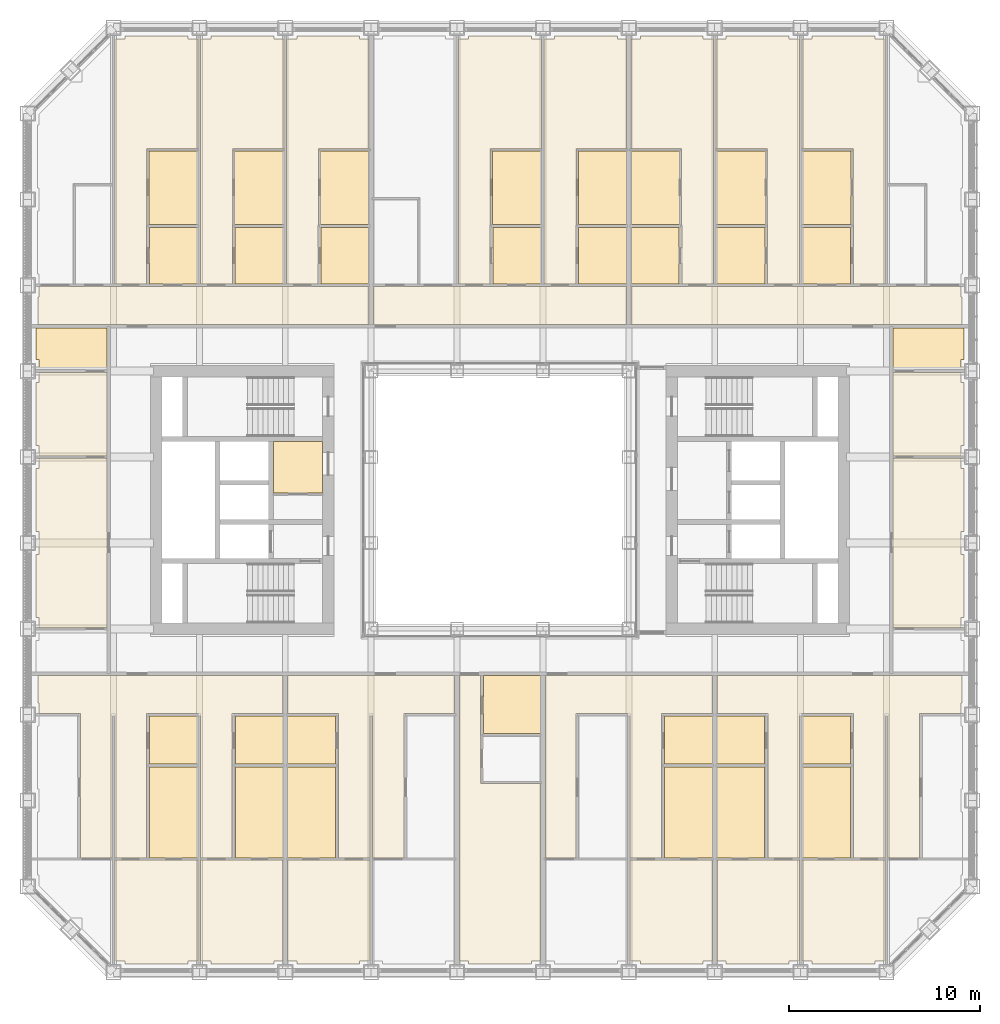
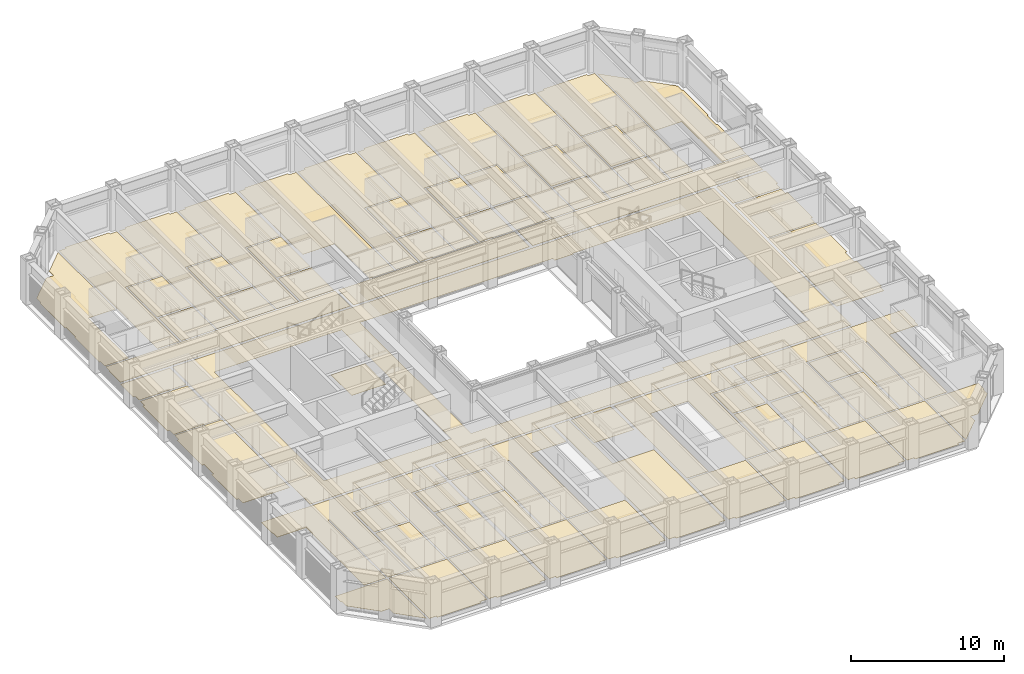
# One storey, part 19 of 21: 3 coverings.
"""IFC4 building model written with IfcOpenShell, lengths in metres."""

from ifc_helpers import new_model, si_unit, direction, frame, origin, place, context, subcontext, project, spatial, line, indexed_curve, outline, extrude, material, layer, layer_set, type_object, element, save


model = new_model("IFC4")

# Units and contexts
model_context = context("Model", 3, precision=1e-05, world=origin(), true_north=direction((0.0, 1.0)))
body_context = subcontext(model_context, "Body", "Model", "MODEL_VIEW")
ifc_project = project(units=[si_unit("LENGTHUNIT", "METRE"), si_unit("AREAUNIT", "SQUARE_METRE"), si_unit("VOLUMEUNIT", "CUBIC_METRE"), si_unit("PLANEANGLEUNIT", "RADIAN"), si_unit("MASSUNIT", "GRAM", prefix="KILO")], contexts=[model_context])

# Site, building, storey
site_placement = place(None, origin())
site = spatial("IfcSite", under=ifc_project, at=site_placement, CompositionType="ELEMENT")
building_placement = place(site_placement, origin())
building = spatial("IfcBuilding", under=site, at=building_placement, Name="Msasa Ring Tower", CompositionType="ELEMENT")
storey_placement = place(building_placement, frame((0.0, 0.0, 75.5)))
storey = spatial("IfcBuildingStorey", under=building, at=storey_placement, Name="L19", CompositionType="ELEMENT", Elevation=75.5)

# Coverings
ifc_material_1 = material(Name="Wool-blend carpet on felt underlay", Category="textile")
ifc_layer_1 = layer(ifc_material_1, 0.011962890625)
ifc_layer_set_1 = layer_set([ifc_layer_1], Name="F2 CARPET ON UNDERLAY 12")
covering_type_1 = type_object("IfcCoveringType", Name="F2 CARPET ON UNDERLAY 12", PredefinedType="FLOORING", material=ifc_layer_set_1)
covering_1_placement = place(storey_placement, origin())
element("IfcCovering", 1, at=covering_1_placement, inside=storey, type_object=covering_type_1, Name="Carpet On Underlay 12 L19", PredefinedType="FLOORING", context=body_context, shape_type="SweptSolid", body=[
    extrude(outline(indexed_curve([(-20.318115234375, -24.044921875), (-21.8994140625, -22.46337890625), (-21.8994140625, -21.8994140625), (-22.46337890625, -21.8994140625), (-24.1494140625, -20.21337890625), (-24.1494140625, -19.6494140625), (-24.23193359375, -19.6494140625), (-24.23193359375, -18.87548828125), (-20.318115234375, -18.87548828125)], segments=[line(1, 2, 3, 4, 5, 6, 7, 8, 9, 1)], self_intersect=False)), origin(), (0.0, 0.0, 1.0), 0.011962890625),
    extrude(outline(indexed_curve([(-22.46337890625, 21.8994140625), (-21.8994140625, 21.8994140625), (-21.8994140625, 22.46337890625), (-20.318115234375, 24.044921875), (-20.318115234375, 16.56298828125), (-22.3505859375, 16.56298828125), (-22.3505859375, 11.31298828125), (-24.1494140625, 11.31298828125), (-24.1494140625, 11.8505859375), (-24.23193359375, 11.8505859375), (-24.23193359375, 15.1494140625), (-24.1494140625, 15.1494140625), (-24.1494140625, 16.3505859375), (-24.23193359375, 16.3505859375), (-24.23193359375, 19.6494140625), (-24.1494140625, 19.6494140625), (-24.1494140625, 20.21337890625)], segments=[line(1, 2, 3, 4, 5, 6, 7, 8, 9, 10, 11, 12, 13, 14, 15, 16, 17, 1)], self_intersect=False)), origin(), (0.0, 0.0, 1.0), 0.011962890625),
    extrude(outline(indexed_curve([(-20.3994140625, -8.99951171875), (-20.3994140625, 8.99951171875), (20.3994140625, 8.99951171875), (20.3994140625, -8.99951171875)], segments=[line(1, 2, 3, 4, 1)], self_intersect=False), holes=[indexed_curve([(8.699462890625, -7.150390625), (18.300537109375, -7.150390625), (18.300537109375, 7.150390625), (8.699462890625, 7.150390625), (8.699462890625, 7.050537109375), (7.280029296875, 7.050537109375), (7.275390625, 7.275390625), (7.22998046875, 7.280029296875), (-7.275390625, 7.275390625), (-7.275390625, -7.275390625), (7.22998046875, -7.280029296875), (7.275390625, -7.275390625), (7.280029296875, -7.050537109375), (8.699462890625, -7.050537109375)], segments=[line(1, 2, 3, 4, 5, 6, 7, 8, 9, 10, 11, 12, 13, 14, 1)], self_intersect=False), indexed_curve([(-18.300537109375, 7.150390625), (-18.300537109375, -7.150390625), (-8.699462890625, -7.150390625), (-8.699462890625, 7.150390625)], segments=[line(1, 2, 3, 4, 1)], self_intersect=False)]), origin(), (0.0, 0.0, 1.0), 0.011962890625),
    extrude(outline(indexed_curve([(-18.3994140625, 14.430419921875), (-18.3994140625, 18.294921875), (-15.81298828125, 18.294921875), (-15.81298828125, 14.430419921875)], segments=[line(1, 2, 3, 4, 1)], self_intersect=False)), origin(), (0.0, 0.0, 1.0), 0.011962890625),
    extrude(outline(indexed_curve([(-15.818115234375, -13.992919921875), (-15.818115234375, -18.74951171875), (-18.369384765625, -18.74951171875), (-18.369384765625, -13.992919921875)], segments=[line(1, 2, 3, 4, 1)], self_intersect=False)), origin(), (0.0, 0.0, 1.0), 0.011962890625),
    extrude(outline(indexed_curve([(-11.31298828125, 18.297607421875), (-11.31298828125, 14.430419921875), (-13.8994140625, 14.430419921875), (-13.8994140625, 18.297607421875)], segments=[line(1, 2, 3, 4, 1)], self_intersect=False)), origin(), (0.0, 0.0, 1.0), 0.011962890625),
    extrude(outline(indexed_curve([(-13.869384765625, -13.992919921875), (-11.37548828125, -13.992919921875), (-11.37548828125, -18.74951171875), (-13.869384765625, -18.74951171875)], segments=[line(1, 2, 3, 4, 1)], self_intersect=False)), origin(), (0.0, 0.0, 1.0), 0.011962890625),
    extrude(outline(indexed_curve([(-9.300537109375, 0.35546875), (-11.87451171875, 0.35546875), (-11.87451171875, 3.074462890625), (-9.300537109375, 3.074462890625)], segments=[line(1, 2, 3, 4, 1)], self_intersect=False)), origin(), (0.0, 0.0, 1.0), 0.011962890625),
    extrude(outline(indexed_curve([(-8.630615234375, -18.74951171875), (-11.12451171875, -18.74951171875), (-11.12451171875, -13.992919921875), (-8.630615234375, -13.992919921875)], segments=[line(1, 2, 3, 4, 1)], self_intersect=False)), origin(), (0.0, 0.0, 1.0), 0.011962890625),
    extrude(outline(indexed_curve([(-9.3994140625, 14.430419921875), (-9.3994140625, 18.297607421875), (-6.87548828125, 18.297607421875), (-6.87548828125, 14.430419921875)], segments=[line(1, 2, 3, 4, 1)], self_intersect=False)), origin(), (0.0, 0.0, 1.0), 0.011962890625),
    extrude(outline(indexed_curve([(-6.1494140625, -24.299560546875), (-6.1494140625, -24.1494140625), (-6.681884765625, -24.1494140625), (-6.681884765625, -18.87548828125), (-2.37548828125, -18.87548828125), (-2.37548828125, -24.1494140625), (-2.8505859375, -24.1494140625), (-2.8505859375, -24.299560546875)], segments=[line(1, 2, 3, 4, 5, 6, 7, 8, 1)], self_intersect=False)), origin(), (0.0, 0.0, 1.0), 0.011962890625),
    extrude(outline(indexed_curve([(-2.318115234375, 11.31298828125), (-4.199462890625, 11.31298828125), (-4.199462890625, 15.843017578125), (-6.62451171875, 15.843017578125), (-6.62451171875, 24.1494140625), (-6.1494140625, 24.1494140625), (-6.1494140625, 24.299560546875), (-2.8505859375, 24.299560546875), (-2.8505859375, 24.1494140625), (-2.318115234375, 24.1494140625)], segments=[line(1, 2, 3, 4, 5, 6, 7, 8, 9, 10, 1)], self_intersect=False)), origin(), (0.0, 0.0, 1.0), 0.011962890625),
    extrude(outline(indexed_curve([(-0.3994140625, 14.430419921875), (-0.3994140625, 18.297607421875), (2.18701171875, 18.297607421875), (2.18701171875, 14.430419921875)], segments=[line(1, 2, 3, 4, 1)], self_intersect=False)), origin(), (0.0, 0.0, 1.0), 0.011962890625),
    extrude(outline(indexed_curve([(2.8505859375, -24.299560546875), (2.8505859375, -24.1494140625), (2.37548828125, -24.1494140625), (2.37548828125, -18.87548828125), (6.681884765625, -18.87548828125), (6.681884765625, -24.1494140625), (6.1494140625, -24.1494140625), (6.1494140625, -24.299560546875)], segments=[line(1, 2, 3, 4, 5, 6, 7, 8, 1)], self_intersect=False)), origin(), (0.0, 0.0, 1.0), 0.011962890625),
    extrude(outline(indexed_curve([(4.1005859375, 14.430419921875), (4.1005859375, 18.297607421875), (6.62451171875, 18.297607421875), (6.62451171875, 14.430419921875)], segments=[line(1, 2, 3, 4, 1)], self_intersect=False)), origin(), (0.0, 0.0, 1.0), 0.011962890625),
    extrude(outline(indexed_curve([(9.3994140625, 18.297607421875), (9.3994140625, 14.430419921875), (6.87548828125, 14.430419921875), (6.87548828125, 18.297607421875)], segments=[line(1, 2, 3, 4, 1)], self_intersect=False)), origin(), (0.0, 0.0, 1.0), 0.011962890625),
    extrude(outline(indexed_curve([(11.12451171875, -13.992919921875), (11.12451171875, -18.74951171875), (8.630615234375, -18.74951171875), (8.630615234375, -13.992919921875)], segments=[line(1, 2, 3, 4, 1)], self_intersect=False)), origin(), (0.0, 0.0, 1.0), 0.011962890625),
    extrude(outline(indexed_curve([(13.8994140625, 14.430419921875), (11.31298828125, 14.430419921875), (11.31298828125, 18.297607421875), (13.8994140625, 18.297607421875)], segments=[line(1, 2, 3, 4, 1)], self_intersect=False)), origin(), (0.0, 0.0, 1.0), 0.011962890625),
    extrude(outline(indexed_curve([(13.869384765625, -18.74951171875), (11.37548828125, -18.74951171875), (11.37548828125, -13.992919921875), (13.869384765625, -13.992919921875)], segments=[line(1, 2, 3, 4, 1)], self_intersect=False)), origin(), (0.0, 0.0, 1.0), 0.011962890625),
    extrude(outline(indexed_curve([(18.3994140625, 18.294921875), (18.3994140625, 14.430419921875), (15.81298828125, 14.430419921875), (15.81298828125, 18.294921875)], segments=[line(1, 2, 3, 4, 1)], self_intersect=False)), origin(), (0.0, 0.0, 1.0), 0.011962890625),
    extrude(outline(indexed_curve([(18.369384765625, -18.74951171875), (15.818115234375, -18.74951171875), (15.818115234375, -13.992919921875), (18.369384765625, -13.992919921875)], segments=[line(1, 2, 3, 4, 1)], self_intersect=False)), origin(), (0.0, 0.0, 1.0), 0.011962890625),
    extrude(outline(indexed_curve([(22.46337890625, -21.8994140625), (21.8994140625, -21.8994140625), (21.8994140625, -22.46337890625), (20.318115234375, -24.044921875), (20.318115234375, -18.87548828125), (24.23193359375, -18.87548828125), (24.23193359375, -19.6494140625), (24.1494140625, -19.6494140625), (24.1494140625, -20.21337890625)], segments=[line(1, 2, 3, 4, 5, 6, 7, 8, 9, 1)], self_intersect=False)), origin(), (0.0, 0.0, 1.0), 0.011962890625),
    extrude(outline(indexed_curve([(22.3505859375, 11.31298828125), (22.3505859375, 16.56298828125), (20.318115234375, 16.56298828125), (20.318115234375, 24.044921875), (21.8994140625, 22.46337890625), (21.8994140625, 21.8994140625), (22.46337890625, 21.8994140625), (24.1494140625, 20.21337890625), (24.1494140625, 19.6494140625), (24.23193359375, 19.6494140625), (24.23193359375, 16.3505859375), (24.1494140625, 16.3505859375), (24.1494140625, 15.1494140625), (24.23193359375, 15.1494140625), (24.23193359375, 11.8505859375), (24.1494140625, 11.8505859375), (24.1494140625, 11.31298828125)], segments=[line(1, 2, 3, 4, 5, 6, 7, 8, 9, 10, 11, 12, 13, 14, 15, 16, 17, 1)], self_intersect=False)), origin(), (0.0, 0.0, 1.0), 0.011962890625),
])
ifc_material_2 = material(Name="Engineered oak boards on an acoustic underlay", Category="wood")
ifc_layer_2 = layer(ifc_material_2, 0.01806640625)
ifc_layer_set_2 = layer_set([ifc_layer_2], Name="F3 ENGINEERED TIMBER ON ACOUSTIC UNDERLAY 18")
covering_type_2 = type_object("IfcCoveringType", Name="F3 ENGINEERED TIMBER ON ACOUSTIC UNDERLAY 18", PredefinedType="FLOORING", material=ifc_layer_set_2)
covering_2_placement = place(storey_placement, origin())
element("IfcCovering", 2, at=covering_2_placement, inside=storey, type_object=covering_type_2, Name="Engineered Timber On Acoustic Underlay 18 L19", PredefinedType="FLOORING", context=body_context, shape_type="SweptSolid", body=[
    extrude(outline(indexed_curve([(-24.1494140625, -6.694580078125), (-24.1494140625, -6.1494140625), (-24.299560546875, -6.1494140625), (-24.299560546875, -2.8505859375), (-24.1494140625, -2.8505859375), (-24.1494140625, -1.6494140625), (-24.299560546875, -1.6494140625), (-24.299560546875, 1.6494140625), (-24.1494140625, 1.6494140625), (-24.1494140625, 2.194580078125), (-20.6005859375, 2.194580078125), (-20.6005859375, -6.694580078125)], segments=[line(1, 2, 3, 4, 5, 6, 7, 8, 9, 10, 11, 12, 1)], self_intersect=False)), origin(), (0.0, 0.0, 1.0), 0.01806640625),
    extrude(outline(indexed_curve([(-24.299560546875, 6.1494140625), (-24.1494140625, 6.1494140625), (-24.1494140625, 6.66943359375), (-20.6005859375, 6.66943359375), (-20.6005859375, 2.305419921875), (-24.1494140625, 2.305419921875), (-24.1494140625, 2.8505859375), (-24.299560546875, 2.8505859375)], segments=[line(1, 2, 3, 4, 5, 6, 7, 8, 1)], self_intersect=False)), origin(), (0.0, 0.0, 1.0), 0.01806640625),
    extrude(outline(indexed_curve([(-20.181884765625, -11.18701171875), (-20.318115234375, -11.18701171875), (-20.318115234375, -18.74951171875), (-21.969482421875, -18.74951171875), (-21.969482421875, -11.18701171875), (-24.1494140625, -11.18701171875), (-24.1494140625, -10.6494140625), (-24.199462890625, -10.6494140625), (-24.199462890625, -9.200439453125), (-11.37548828125, -9.200439453125), (-11.37548828125, -11.18701171875), (-14.030517578125, -11.18701171875), (-14.030517578125, -18.74951171875), (-15.681884765625, -18.74951171875), (-15.681884765625, -11.18701171875), (-18.530517578125, -11.18701171875), (-18.530517578125, -18.74951171875), (-20.181884765625, -18.74951171875)], segments=[line(1, 2, 3, 4, 5, 6, 7, 8, 9, 10, 11, 12, 13, 14, 15, 16, 17, 18, 1)], self_intersect=False)), origin(), (0.0, 0.0, 1.0), 0.01806640625),
    extrude(outline(indexed_curve([(-24.199462890625, 9.200439453125), (-24.199462890625, 10.6494140625), (-24.1494140625, 10.6494140625), (-24.1494140625, 11.18701171875), (-6.87548828125, 11.18701171875), (-6.87548828125, 9.200439453125)], segments=[line(1, 2, 3, 4, 5, 6, 1)], self_intersect=False)), origin(), (0.0, 0.0, 1.0), 0.01806640625),
    extrude(outline(indexed_curve([(-15.818115234375, -24.1494140625), (-16.3505859375, -24.1494140625), (-16.3505859375, -24.299560546875), (-19.6494140625, -24.299560546875), (-19.6494140625, -24.1494140625), (-20.181884765625, -24.1494140625), (-20.181884765625, -18.87548828125), (-15.818115234375, -18.87548828125)], segments=[line(1, 2, 3, 4, 5, 6, 7, 8, 1)], self_intersect=False)), origin(), (0.0, 0.0, 1.0), 0.01806640625),
    extrude(outline(indexed_curve([(-20.181884765625, 24.1494140625), (-19.6494140625, 24.1494140625), (-19.6494140625, 24.299560546875), (-16.3505859375, 24.299560546875), (-16.3505859375, 24.1494140625), (-15.818115234375, 24.1494140625), (-15.818115234375, 18.40087890625), (-18.50048828125, 18.40087890625), (-18.50048828125, 14.39990234375), (-18.525390625, 14.39990234375), (-18.525390625, 11.31298828125), (-20.181884765625, 11.31298828125)], segments=[line(1, 2, 3, 4, 5, 6, 7, 8, 9, 10, 11, 12, 1)], self_intersect=False)), origin(), (0.0, 0.0, 1.0), 0.01806640625),
    extrude(outline(indexed_curve([(-15.1494140625, -24.299560546875), (-15.1494140625, -24.1494140625), (-15.681884765625, -24.1494140625), (-15.681884765625, -18.87548828125), (-11.37548828125, -18.87548828125), (-11.37548828125, -24.1494140625), (-11.8505859375, -24.1494140625), (-11.8505859375, -24.299560546875)], segments=[line(1, 2, 3, 4, 5, 6, 7, 8, 1)], self_intersect=False)), origin(), (0.0, 0.0, 1.0), 0.01806640625),
    extrude(outline(indexed_curve([(-11.8505859375, 24.299560546875), (-11.8505859375, 24.1494140625), (-11.318115234375, 24.1494140625), (-11.318115234375, 18.403564453125), (-14.00048828125, 18.403564453125), (-14.00048828125, 14.39990234375), (-14.025390625, 14.39990234375), (-14.025390625, 11.31298828125), (-15.681884765625, 11.31298828125), (-15.681884765625, 24.1494140625), (-15.1494140625, 24.1494140625), (-15.1494140625, 24.299560546875)], segments=[line(1, 2, 3, 4, 5, 6, 7, 8, 9, 10, 11, 12, 1)], self_intersect=False)), origin(), (0.0, 0.0, 1.0), 0.01806640625),
    extrude(outline(indexed_curve([(-7.3505859375, 24.299560546875), (-7.3505859375, 24.1494140625), (-6.87548828125, 24.1494140625), (-6.87548828125, 18.403564453125), (-9.50048828125, 18.403564453125), (-9.50048828125, 14.39990234375), (-9.525390625, 14.39990234375), (-9.525390625, 11.31298828125), (-11.181884765625, 11.31298828125), (-11.181884765625, 24.1494140625), (-10.6494140625, 24.1494140625), (-10.6494140625, 24.299560546875)], segments=[line(1, 2, 3, 4, 5, 6, 7, 8, 9, 10, 11, 12, 1)], self_intersect=False)), origin(), (0.0, 0.0, 1.0), 0.01806640625),
    extrude(outline(indexed_curve([(-10.6494140625, -24.299560546875), (-10.6494140625, -24.1494140625), (-11.12451171875, -24.1494140625), (-11.12451171875, -18.87548828125), (-6.818115234375, -18.87548828125), (-6.818115234375, -24.1494140625), (-7.3505859375, -24.1494140625), (-7.3505859375, -24.299560546875)], segments=[line(1, 2, 3, 4, 5, 6, 7, 8, 1)], self_intersect=False)), origin(), (0.0, 0.0, 1.0), 0.01806640625),
    extrude(outline(indexed_curve([(-6.818115234375, -18.74951171875), (-8.469482421875, -18.74951171875), (-8.469482421875, -11.18701171875), (-11.12451171875, -11.18701171875), (-11.12451171875, -9.200439453125), (-2.37548828125, -9.200439453125), (-2.37548828125, -11.18701171875), (-5.030517578125, -11.18701171875), (-5.030517578125, -18.74951171875), (-6.681884765625, -18.74951171875), (-6.681884765625, -11.18701171875), (-6.818115234375, -11.18701171875)], segments=[line(1, 2, 3, 4, 5, 6, 7, 8, 9, 10, 11, 12, 1)], self_intersect=False)), origin(), (0.0, 0.0, 1.0), 0.01806640625),
    extrude(outline(indexed_curve([(-6.62451171875, 9.200439453125), (-6.62451171875, 11.18701171875), (6.62451171875, 11.18701171875), (6.62451171875, 9.200439453125)], segments=[line(1, 2, 3, 4, 1)], self_intersect=False)), origin(), (0.0, 0.0, 1.0), 0.01806640625),
    extrude(outline(indexed_curve([(1.6494140625, 24.299560546875), (1.6494140625, 24.1494140625), (2.181884765625, 24.1494140625), (2.181884765625, 18.403564453125), (-0.50048828125, 18.403564453125), (-0.50048828125, 14.39990234375), (-0.525390625, 14.39990234375), (-0.525390625, 11.31298828125), (-2.181884765625, 11.31298828125), (-2.181884765625, 24.1494140625), (-1.6494140625, 24.1494140625), (-1.6494140625, 24.299560546875)], segments=[line(1, 2, 3, 4, 5, 6, 7, 8, 9, 10, 11, 12, 1)], self_intersect=False)), origin(), (0.0, 0.0, 1.0), 0.01806640625),
    extrude(outline(indexed_curve([(-1.025390625, -9.200439453125), (-1.025390625, -12.35009765625), (-1.00048828125, -12.35009765625), (-1.00048828125, -14.8505859375), (2.12451171875, -14.8505859375), (2.12451171875, -24.1494140625), (1.6494140625, -24.1494140625), (1.6494140625, -24.299560546875), (-1.6494140625, -24.299560546875), (-1.6494140625, -24.1494140625), (-2.12451171875, -24.1494140625), (-2.12451171875, -9.200439453125)], segments=[line(1, 2, 3, 4, 5, 6, 7, 8, 9, 10, 11, 12, 1)], self_intersect=False)), origin(), (0.0, 0.0, 1.0), 0.01806640625),
    extrude(outline(indexed_curve([(6.1494140625, 24.299560546875), (6.1494140625, 24.1494140625), (6.62451171875, 24.1494140625), (6.62451171875, 18.403564453125), (3.99951171875, 18.403564453125), (3.99951171875, 14.39990234375), (3.974609375, 14.39990234375), (3.974609375, 11.31298828125), (2.318115234375, 11.31298828125), (2.318115234375, 24.1494140625), (2.8505859375, 24.1494140625), (2.8505859375, 24.299560546875)], segments=[line(1, 2, 3, 4, 5, 6, 7, 8, 9, 10, 11, 12, 1)], self_intersect=False)), origin(), (0.0, 0.0, 1.0), 0.01806640625),
    extrude(outline(indexed_curve([(3.969482421875, -18.74951171875), (2.37548828125, -18.74951171875), (2.37548828125, -9.200439453125), (11.12451171875, -9.200439453125), (11.12451171875, -11.18701171875), (8.469482421875, -11.18701171875), (8.469482421875, -18.74951171875), (6.818115234375, -18.74951171875), (6.818115234375, -11.18701171875), (3.969482421875, -11.18701171875)], segments=[line(1, 2, 3, 4, 5, 6, 7, 8, 9, 10, 1)], self_intersect=False)), origin(), (0.0, 0.0, 1.0), 0.01806640625),
    extrude(outline(indexed_curve([(7.3505859375, -24.299560546875), (7.3505859375, -24.1494140625), (6.818115234375, -24.1494140625), (6.818115234375, -18.87548828125), (11.12451171875, -18.87548828125), (11.12451171875, -24.1494140625), (10.6494140625, -24.1494140625), (10.6494140625, -24.299560546875)], segments=[line(1, 2, 3, 4, 5, 6, 7, 8, 1)], self_intersect=False)), origin(), (0.0, 0.0, 1.0), 0.01806640625),
    extrude(outline(indexed_curve([(24.199462890625, 9.200439453125), (6.87548828125, 9.200439453125), (6.87548828125, 11.18701171875), (24.1494140625, 11.18701171875), (24.1494140625, 10.6494140625), (24.199462890625, 10.6494140625)], segments=[line(1, 2, 3, 4, 5, 6, 1)], self_intersect=False)), origin(), (0.0, 0.0, 1.0), 0.01806640625),
    extrude(outline(indexed_curve([(9.525390625, 11.31298828125), (9.525390625, 14.39990234375), (9.50048828125, 14.39990234375), (9.50048828125, 18.403564453125), (6.87548828125, 18.403564453125), (6.87548828125, 24.1494140625), (7.3505859375, 24.1494140625), (7.3505859375, 24.299560546875), (10.6494140625, 24.299560546875), (10.6494140625, 24.1494140625), (11.181884765625, 24.1494140625), (11.181884765625, 11.31298828125)], segments=[line(1, 2, 3, 4, 5, 6, 7, 8, 9, 10, 11, 12, 1)], self_intersect=False)), origin(), (0.0, 0.0, 1.0), 0.01806640625),
    extrude(outline(indexed_curve([(14.025390625, 11.31298828125), (14.025390625, 14.39990234375), (14.00048828125, 14.39990234375), (14.00048828125, 18.403564453125), (11.318115234375, 18.403564453125), (11.318115234375, 24.1494140625), (11.8505859375, 24.1494140625), (11.8505859375, 24.299560546875), (15.1494140625, 24.299560546875), (15.1494140625, 24.1494140625), (15.681884765625, 24.1494140625), (15.681884765625, 11.31298828125)], segments=[line(1, 2, 3, 4, 5, 6, 7, 8, 9, 10, 11, 12, 1)], self_intersect=False)), origin(), (0.0, 0.0, 1.0), 0.01806640625),
    extrude(outline(indexed_curve([(11.8505859375, -24.299560546875), (11.8505859375, -24.1494140625), (11.37548828125, -24.1494140625), (11.37548828125, -18.87548828125), (15.681884765625, -18.87548828125), (15.681884765625, -24.1494140625), (15.1494140625, -24.1494140625), (15.1494140625, -24.299560546875)], segments=[line(1, 2, 3, 4, 5, 6, 7, 8, 1)], self_intersect=False)), origin(), (0.0, 0.0, 1.0), 0.01806640625),
    extrude(outline(indexed_curve([(18.530517578125, -11.18701171875), (15.681884765625, -11.18701171875), (15.681884765625, -18.74951171875), (14.030517578125, -18.74951171875), (14.030517578125, -11.18701171875), (11.37548828125, -11.18701171875), (11.37548828125, -9.200439453125), (24.199462890625, -9.200439453125), (24.199462890625, -10.6494140625), (24.1494140625, -10.6494140625), (24.1494140625, -11.18701171875), (21.969482421875, -11.18701171875), (21.969482421875, -18.74951171875), (20.318115234375, -18.74951171875), (20.318115234375, -11.18701171875), (20.181884765625, -11.18701171875), (20.181884765625, -18.74951171875), (18.530517578125, -18.74951171875)], segments=[line(1, 2, 3, 4, 5, 6, 7, 8, 9, 10, 11, 12, 13, 14, 15, 16, 17, 18, 1)], self_intersect=False)), origin(), (0.0, 0.0, 1.0), 0.01806640625),
    extrude(outline(indexed_curve([(20.181884765625, -24.1494140625), (19.6494140625, -24.1494140625), (19.6494140625, -24.299560546875), (16.3505859375, -24.299560546875), (16.3505859375, -24.1494140625), (15.818115234375, -24.1494140625), (15.818115234375, -18.87548828125), (20.181884765625, -18.87548828125)], segments=[line(1, 2, 3, 4, 5, 6, 7, 8, 1)], self_intersect=False)), origin(), (0.0, 0.0, 1.0), 0.01806640625),
    extrude(outline(indexed_curve([(20.181884765625, 11.31298828125), (18.525390625, 11.31298828125), (18.525390625, 14.39990234375), (18.50048828125, 14.39990234375), (18.50048828125, 18.40087890625), (15.818115234375, 18.40087890625), (15.818115234375, 24.1494140625), (16.3505859375, 24.1494140625), (16.3505859375, 24.299560546875), (19.6494140625, 24.299560546875), (19.6494140625, 24.1494140625), (20.181884765625, 24.1494140625)], segments=[line(1, 2, 3, 4, 5, 6, 7, 8, 9, 10, 11, 12, 1)], self_intersect=False)), origin(), (0.0, 0.0, 1.0), 0.01806640625),
    extrude(outline(indexed_curve([(24.1494140625, 2.194580078125), (24.1494140625, 1.6494140625), (24.299560546875, 1.6494140625), (24.299560546875, -1.6494140625), (24.1494140625, -1.6494140625), (24.1494140625, -2.8505859375), (24.299560546875, -2.8505859375), (24.299560546875, -6.1494140625), (24.1494140625, -6.1494140625), (24.1494140625, -6.694580078125), (20.6005859375, -6.694580078125), (20.6005859375, 2.194580078125)], segments=[line(1, 2, 3, 4, 5, 6, 7, 8, 9, 10, 11, 12, 1)], self_intersect=False)), origin(), (0.0, 0.0, 1.0), 0.01806640625),
    extrude(outline(indexed_curve([(20.6005859375, 6.66943359375), (24.1494140625, 6.66943359375), (24.1494140625, 6.1494140625), (24.299560546875, 6.1494140625), (24.299560546875, 2.8505859375), (24.1494140625, 2.8505859375), (24.1494140625, 2.305419921875), (20.6005859375, 2.305419921875)], segments=[line(1, 2, 3, 4, 5, 6, 7, 8, 1)], self_intersect=False)), origin(), (0.0, 0.0, 1.0), 0.01806640625),
])
ifc_material_3 = material(Name="Porcelain floor tiles in adhesive", Category="ceramic")
ifc_layer_3 = layer(ifc_material_3, 0.010009765625)
ifc_layer_set_3 = layer_set([ifc_layer_3], Name="F4 PORCELAIN TILE ON ADHESIVE 10")
covering_type_3 = type_object("IfcCoveringType", Name="F4 PORCELAIN TILE ON ADHESIVE 10", PredefinedType="FLOORING", material=ifc_layer_set_3)
covering_3_placement = place(storey_placement, origin())
element("IfcCovering", 3, at=covering_3_placement, inside=storey, type_object=covering_type_3, Name="Porcelain Tile On Adhesive 10 L19", PredefinedType="FLOORING", context=body_context, shape_type="SweptSolid", body=[
    extrude(outline(indexed_curve([(-24.1494140625, 6.83056640625), (-24.1494140625, 7.3505859375), (-24.299560546875, 7.3505859375), (-24.299560546875, 8.99951171875), (-20.6005859375, 8.99951171875), (-20.6005859375, 6.83056640625)], segments=[line(1, 2, 3, 4, 5, 6, 1)], self_intersect=False)), origin(), (0.0, 0.0, 1.0), 0.010009765625),
    extrude(outline(indexed_curve([(-18.37451171875, 11.31298828125), (-18.37451171875, 14.2744140625), (-15.81298828125, 14.2744140625), (-15.81298828125, 11.31298828125)], segments=[line(1, 2, 3, 4, 1)], self_intersect=False)), origin(), (0.0, 0.0, 1.0), 0.010009765625),
    extrude(outline(indexed_curve([(-15.818115234375, -11.318115234375), (-15.818115234375, -13.83203125), (-18.369384765625, -13.83203125), (-18.369384765625, -11.318115234375)], segments=[line(1, 2, 3, 4, 1)], self_intersect=False)), origin(), (0.0, 0.0, 1.0), 0.010009765625),
    extrude(outline(indexed_curve([(-13.87451171875, 11.31298828125), (-13.87451171875, 14.2744140625), (-11.31298828125, 14.2744140625), (-11.31298828125, 11.31298828125)], segments=[line(1, 2, 3, 4, 1)], self_intersect=False)), origin(), (0.0, 0.0, 1.0), 0.010009765625),
    extrude(outline(indexed_curve([(-11.37548828125, -11.318115234375), (-11.37548828125, -13.83203125), (-13.869384765625, -13.83203125), (-13.869384765625, -11.318115234375)], segments=[line(1, 2, 3, 4, 1)], self_intersect=False)), origin(), (0.0, 0.0, 1.0), 0.010009765625),
    extrude(outline(indexed_curve([(-8.630615234375, -11.318115234375), (-8.630615234375, -13.83203125), (-11.12451171875, -13.83203125), (-11.12451171875, -11.318115234375)], segments=[line(1, 2, 3, 4, 1)], self_intersect=False)), origin(), (0.0, 0.0, 1.0), 0.010009765625),
    extrude(outline(indexed_curve([(-9.37451171875, 11.31298828125), (-9.37451171875, 14.2744140625), (-6.87548828125, 14.2744140625), (-6.87548828125, 11.31298828125)], segments=[line(1, 2, 3, 4, 1)], self_intersect=False)), origin(), (0.0, 0.0, 1.0), 0.010009765625),
    extrude(outline(indexed_curve([(2.12451171875, -9.200439453125), (2.12451171875, -12.224609375), (-0.87451171875, -12.224609375), (-0.87451171875, -9.200439453125)], segments=[line(1, 2, 3, 4, 1)], self_intersect=False)), origin(), (0.0, 0.0, 1.0), 0.010009765625),
    extrude(outline(indexed_curve([(-0.37451171875, 11.31298828125), (-0.37451171875, 14.2744140625), (2.18701171875, 14.2744140625), (2.18701171875, 11.31298828125)], segments=[line(1, 2, 3, 4, 1)], self_intersect=False)), origin(), (0.0, 0.0, 1.0), 0.010009765625),
    extrude(outline(indexed_curve([(4.12548828125, 11.31298828125), (4.12548828125, 14.2744140625), (6.62451171875, 14.2744140625), (6.62451171875, 11.31298828125)], segments=[line(1, 2, 3, 4, 1)], self_intersect=False)), origin(), (0.0, 0.0, 1.0), 0.010009765625),
    extrude(outline(indexed_curve([(6.87548828125, 11.31298828125), (6.87548828125, 14.2744140625), (9.37451171875, 14.2744140625), (9.37451171875, 11.31298828125)], segments=[line(1, 2, 3, 4, 1)], self_intersect=False)), origin(), (0.0, 0.0, 1.0), 0.010009765625),
    extrude(outline(indexed_curve([(11.12451171875, -11.318115234375), (11.12451171875, -13.83203125), (8.630615234375, -13.83203125), (8.630615234375, -11.318115234375)], segments=[line(1, 2, 3, 4, 1)], self_intersect=False)), origin(), (0.0, 0.0, 1.0), 0.010009765625),
    extrude(outline(indexed_curve([(11.31298828125, 11.31298828125), (11.31298828125, 14.2744140625), (13.87451171875, 14.2744140625), (13.87451171875, 11.31298828125)], segments=[line(1, 2, 3, 4, 1)], self_intersect=False)), origin(), (0.0, 0.0, 1.0), 0.010009765625),
    extrude(outline(indexed_curve([(13.869384765625, -11.318115234375), (13.869384765625, -13.83203125), (11.37548828125, -13.83203125), (11.37548828125, -11.318115234375)], segments=[line(1, 2, 3, 4, 1)], self_intersect=False)), origin(), (0.0, 0.0, 1.0), 0.010009765625),
    extrude(outline(indexed_curve([(15.81298828125, 11.31298828125), (15.81298828125, 14.2744140625), (18.37451171875, 14.2744140625), (18.37451171875, 11.31298828125)], segments=[line(1, 2, 3, 4, 1)], self_intersect=False)), origin(), (0.0, 0.0, 1.0), 0.010009765625),
    extrude(outline(indexed_curve([(18.369384765625, -11.318115234375), (18.369384765625, -13.83203125), (15.818115234375, -13.83203125), (15.818115234375, -11.318115234375)], segments=[line(1, 2, 3, 4, 1)], self_intersect=False)), origin(), (0.0, 0.0, 1.0), 0.010009765625),
    extrude(outline(indexed_curve([(20.6005859375, 8.99951171875), (24.299560546875, 8.99951171875), (24.299560546875, 7.3505859375), (24.1494140625, 7.3505859375), (24.1494140625, 6.83056640625), (20.6005859375, 6.83056640625)], segments=[line(1, 2, 3, 4, 5, 6, 1)], self_intersect=False)), origin(), (0.0, 0.0, 1.0), 0.010009765625),
])

save(model, "model.ifc")
